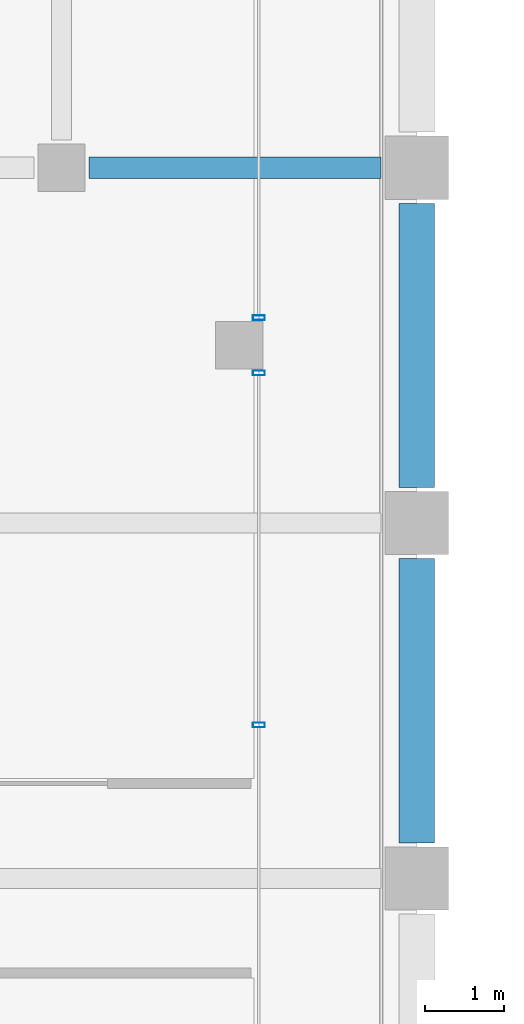
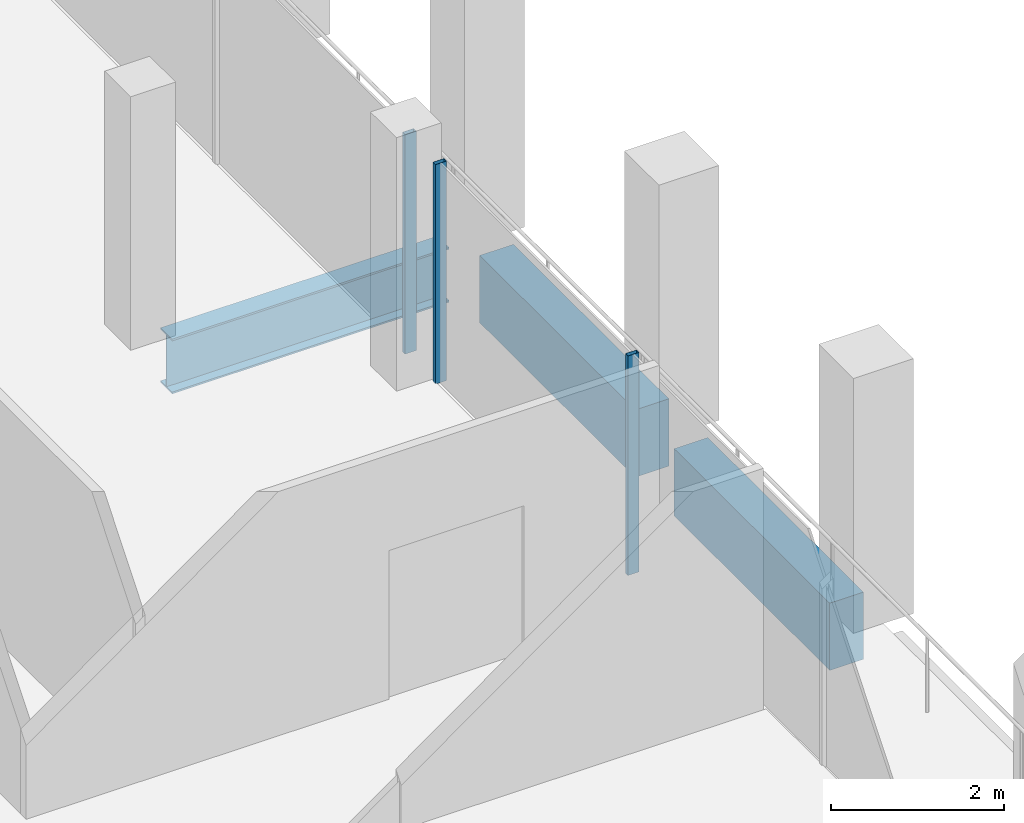
# One storey, part 19 of 40: 3 beams, 3 members, 2 elements without a shape of their own.
"""IFC4 building model written with IfcOpenShell, lengths in metres."""

import ifcopenshell
import ifcopenshell.guid

model = None  # the IFC model being written
_history = None  # IfcOwnerHistory: only IFC2X3 demands one
_inside = {}  # id of a spatial element -> (the spatial element, [elements in it])
_under = {}  # id of a project, library or spatial element -> (it, [spatial elements below it])
_declared = {}  # id of a project -> (the project, [libraries it declares])
_typed = {}  # id of a type object -> (the type object, [elements of that type])
_made_of = {}  # id of a material, layer set ... -> (it, [elements and type objects made of it])


def new_model(schema):
    """Start an empty IFC model of exactly this schema.

    Asked for "IFC4X3", IfcOpenShell would pick the latest addendum, in which some entities
    have other attributes; the version numbers below select the first issue.
    IFC2X3 requires an IfcOwnerHistory on every rooted entity: one is made here for all.
    """
    global model, _history
    if schema == "IFC4X3":
        model = ifcopenshell.file(schema_version=(4, 3, 0, 0))
    else:
        model = ifcopenshell.file(schema=schema)
    _inside.clear()
    _under.clear()
    _declared.clear()
    _typed.clear()
    _made_of.clear()
    _history = None
    if model.schema == "IFC2X3":
        org = make("IfcOrganization", Name="unknown")
        user = make(
            "IfcPersonAndOrganization",
            ThePerson=make("IfcPerson", FamilyName="unknown"),
            TheOrganization=org,
        )
        app = make(
            "IfcApplication",
            ApplicationDeveloper=org,
            Version="unknown",
            ApplicationFullName="unknown",
            ApplicationIdentifier="unknown",
        )
        _history = make(
            "IfcOwnerHistory",
            OwningUser=user,
            OwningApplication=app,
            ChangeAction="ADDED",
            CreationDate=0,
        )
    return model


def make(cls, **values):
    """One entity of the class cls with the attributes given. An attribute that is None is left unset."""
    return model.create_entity(
        cls, **{name: value for name, value in values.items() if value is not None}
    )


def rooted(cls, **values):
    """An entity with a GlobalId (a new one), such as an element, a storey or a relation."""
    return make(cls, GlobalId=ifcopenshell.guid.new(), OwnerHistory=_history, **values)


def si_unit(unit_type, name, prefix=None):
    """IfcSIUnit, for example si_unit("LENGTHUNIT", "METRE", prefix="MILLI")."""
    return make("IfcSIUnit", UnitType=unit_type, Prefix=prefix, Name=name)


def assignment(units):
    """IfcUnitAssignment: the units of a project."""
    return None if units is None else make("IfcUnitAssignment", Units=units)


def point(xyz):
    """IfcCartesianPoint."""
    return None if xyz is None else make("IfcCartesianPoint", Coordinates=xyz)


def direction(xyz):
    """IfcDirection."""
    return None if xyz is None else make("IfcDirection", DirectionRatios=xyz)


def frame(location, z_axis=None, x_axis=None):
    """IfcAxis2Placement3D, a coordinate frame: its origin and axes. An axis left out is left unset."""
    return make(
        "IfcAxis2Placement3D",
        Location=point(location),
        Axis=direction(z_axis),
        RefDirection=direction(x_axis),
    )


def frame_2d(location, x_axis=None):
    """IfcAxis2Placement2D, a coordinate frame in the plane: its origin and x axis."""
    return make(
        "IfcAxis2Placement2D", Location=point(location), RefDirection=direction(x_axis)
    )


def origin():
    """The frame at (0, 0, 0) with its axes left unset."""
    return frame((0.0, 0.0, 0.0))


def origin_2d():
    """The frame at (0, 0) in the plane with its x axis left unset."""
    return frame_2d((0.0, 0.0))


def place(relative_to, where):
    """IfcLocalPlacement: puts the frame where relative to a parent placement (None: the world)."""
    return make(
        "IfcLocalPlacement", PlacementRelTo=relative_to, RelativePlacement=where
    )


def context(
    kind, dimensions, precision=None, world=None, true_north=None, identifier=None
):
    """IfcGeometricRepresentationContext, for example the 3D "Model" context."""
    return make(
        "IfcGeometricRepresentationContext",
        ContextIdentifier=identifier,
        ContextType=kind,
        CoordinateSpaceDimension=dimensions,
        Precision=precision,
        WorldCoordinateSystem=world,
        TrueNorth=true_north,
    )


def subcontext(parent, identifier, kind, view, scale=None):
    """IfcGeometricRepresentationSubContext, for example "Body" below "Model"."""
    return make(
        "IfcGeometricRepresentationSubContext",
        ContextIdentifier=identifier,
        ContextType=kind,
        ParentContext=parent,
        TargetScale=scale,
        TargetView=view,
    )


def project(units=None, contexts=None):
    """IfcProject with its units and contexts."""
    return rooted(
        "IfcProject",
        Name="project",
        RepresentationContexts=contexts,
        UnitsInContext=assignment(units),
    )


def spatial(cls, under=None, at=None, **own):
    """A site, building, storey or space (cls), placed at a placement, below another one or the project."""
    s = rooted(cls, ObjectPlacement=at, **own)
    if under is not None:
        _under.setdefault(under.id(), (under, []))[1].append(s)
    return s


def profile(cls, at=None, kind="AREA", **sizes):
    """A parametric profile (cls). Its sizes go by their IFC names, for example OverallWidth=200.0."""
    return make(cls, ProfileType=kind, Position=at, **sizes)


def rectangle(**sizes):
    """IfcRectangleProfileDef."""
    return profile("IfcRectangleProfileDef", **sizes)


def hollow_rectangle(**sizes):
    """IfcRectangleHollowProfileDef."""
    return profile("IfcRectangleHollowProfileDef", **sizes)


def i_section(**sizes):
    """IfcIShapeProfileDef."""
    return profile("IfcIShapeProfileDef", **sizes)


def extrude(swept, where, along, depth):
    """IfcExtrudedAreaSolid: the profile swept, set in the frame where, extruded along a direction by depth."""
    return make(
        "IfcExtrudedAreaSolid",
        SweptArea=swept,
        Position=where,
        ExtrudedDirection=direction(along),
        Depth=depth,
    )


def shape(context_of_items, identifier, shape_type, items):
    """IfcShapeRepresentation: the items that make up one representation, for example the "Body"."""
    return make(
        "IfcShapeRepresentation",
        ContextOfItems=context_of_items,
        RepresentationIdentifier=identifier,
        RepresentationType=shape_type,
        Items=items,
    )


def material(Name=None, Category=None):
    """IfcMaterial."""
    return make("IfcMaterial", Name=Name, Category=Category)


def material_profile(
    of_material, cross_section, Name=None, Category=None, Priority=None
):
    """IfcMaterialProfile: a cross section and its material."""
    return make(
        "IfcMaterialProfile",
        Name=Name,
        Material=of_material,
        Profile=cross_section,
        Priority=Priority,
        Category=Category,
    )


def profile_set(profiles, Name=None, composite=None):
    """IfcMaterialProfileSet."""
    return make(
        "IfcMaterialProfileSet",
        Name=Name,
        MaterialProfiles=profiles,
        CompositeProfile=composite,
    )


def made_of(thing, what):
    """Note that an element or type object is made of a material, layer set ...; save() writes the relation."""
    if what is not None:
        _made_of.setdefault(what.id(), (what, []))[1].append(thing)
    return thing


def type_object(cls, material=None, **own):
    """A type object (cls), such as IfcWallType, which elements share."""
    return made_of(rooted(cls, **own), material)


def element(
    cls,
    number,
    at=None,
    inside=None,
    cuts=None,
    type_object=None,
    material=None,
    context=None,
    identifier="Body",
    shape_type=None,
    held_by="IfcProductDefinitionShape",
    body=None,
    shapes=None,
    **own,
):
    """One element of the class cls, such as IfcWall. Its Tag is "e" and its number.

    at: its placement. inside: the storey or other place that contains it. cuts: it is an
    opening in that element (IfcRelVoidsElement). A single representation is given by context,
    identifier, shape_type and body (its items); several are given by shapes. held_by: the class
    of the entity that holds the representations. save() writes the other relations.
    """
    e = rooted(cls, Tag="e%d" % number, ObjectPlacement=at, **own)
    if body is not None:
        shapes = [shape(context, identifier, shape_type, body)]
    if shapes is not None:
        e.Representation = make(held_by, Representations=shapes)
    if inside is not None:
        _inside.setdefault(inside.id(), (inside, []))[1].append(e)
    if cuts is not None:
        rooted(
            "IfcRelVoidsElement", RelatingBuildingElement=cuts, RelatedOpeningElement=e
        )
    if type_object is not None:
        _typed.setdefault(type_object.id(), (type_object, []))[1].append(e)
    return made_of(e, material)


def aggregate(whole, parts):
    """IfcRelAggregates: a whole, such as a stair, and the parts it consists of."""
    return rooted("IfcRelAggregates", RelatingObject=whole, RelatedObjects=parts)


def save(model, path):
    """Write the relations noted so far, then the file.

    IfcRelAggregates (storeys below a building ...), IfcRelContainedInSpatialStructure (elements
    in a storey), IfcRelDefinesByType, IfcRelAssociatesMaterial and IfcRelDeclares: one each for
    every whole, place, type object, material and project.
    """
    for whole, parts in _under.values():
        aggregate(whole, parts)
    for where, things in _inside.values():
        rooted(
            "IfcRelContainedInSpatialStructure",
            RelatedElements=things,
            RelatingStructure=where,
        )
    for kind, things in _typed.values():
        rooted("IfcRelDefinesByType", RelatedObjects=things, RelatingType=kind)
    for what, things in _made_of.values():
        rooted("IfcRelAssociatesMaterial", RelatedObjects=things, RelatingMaterial=what)
    for by, libraries in _declared.values():
        rooted("IfcRelDeclares", RelatingContext=by, RelatedDefinitions=libraries)
    model.write(path)


model = new_model("IFC4")

# Units and contexts
model_context = context("Model", 3, precision=1e-05, world=origin(), true_north=direction((0.0, 1.0)))
body_context = subcontext(model_context, "Body", "Model", "MODEL_VIEW")
ifc_project = project(units=[si_unit("LENGTHUNIT", "METRE"), si_unit("AREAUNIT", "SQUARE_METRE"), si_unit("VOLUMEUNIT", "CUBIC_METRE"), si_unit("PLANEANGLEUNIT", "RADIAN"), si_unit("MASSUNIT", "GRAM", prefix="KILO")], contexts=[model_context])

# Site, building, storey
site_placement = place(None, origin())
site = spatial("IfcSite", under=ifc_project, at=site_placement, CompositionType="ELEMENT")
building_placement = place(site_placement, origin())
building = spatial("IfcBuilding", under=site, at=building_placement, Name="Altepetl Exchange Towers", CompositionType="ELEMENT")
storey_placement = place(building_placement, frame((0.0, 0.0, 195.60009765625)))
storey = spatial("IfcBuildingStorey", under=building, at=storey_placement, Name="L49", CompositionType="ELEMENT", Elevation=195.60009765625)

# Beam
ifc_material_1 = material(Name="Steel S355", Category="steel")
ifc_material_profile_1 = material_profile(ifc_material_1, i_section(OverallWidth=0.26806640625, OverallDepth=0.77392578125, WebThickness=0.015380859375, FlangeThickness=0.025390625, at=origin_2d()), Name="W30X132")
ifc_profile_set_1 = profile_set([ifc_material_profile_1], Name="Steel S355")
beam_type_1 = type_object("IfcBeamType", Name="Girder W30X132", PredefinedType="BEAM", material=ifc_profile_set_1)
beam_placement = place(storey_placement, frame((67.85009765625, 58.5, -0.537109375), z_axis=(1.0, 0.0, 0.0), x_axis=(0.0, 1.0, 0.0)))
element("IfcBeam", 1, at=beam_placement, inside=storey, type_object=beam_type_1, Name="gd:A:L49:002", PredefinedType="BEAM", context=body_context, shape_type="SweptSolid", body=[
    extrude(i_section(OverallWidth=0.26806640625, OverallDepth=0.77392578125, WebThickness=0.015380859375, FlangeThickness=0.025390625, at=origin_2d()), origin(), (0.0, 0.0, 1.0), 3.699951171875),
])

# Curtain wall, members
ifc_material_2 = material(Name="Aluminium 6063-T6 glazing", Category="aluminium")
curtain_wall_type = type_object("IfcCurtainWallType", Name="Loggia glazing system", PredefinedType="NOTDEFINED", material=ifc_material_2)
curtain_wall_1_placement = place(storey_placement, origin())
curtain_wall_1 = element("IfcCurtainWall", 2, at=curtain_wall_1_placement, inside=storey, type_object=curtain_wall_type, Name="CW1 run", PredefinedType="NOTDEFINED")
ifc_material_3 = material(Name="Aluminium 6063-T6", Category="aluminium")
ifc_material_profile_2 = material_profile(ifc_material_3, hollow_rectangle(XDim=0.06005859375, YDim=0.14990234375, WallThickness=0.0029296875, at=origin_2d()), Name="Mullion 60x150 aluminium")
ifc_profile_set_2 = profile_set([ifc_material_profile_2], Name="Aluminium 6063-T6")
member_type = type_object("IfcMemberType", Name="Mullion 60x150 aluminium", PredefinedType="MULLION", material=ifc_profile_set_2)
member_1_placement = place(storey_placement, frame((70.0, 51.444091796875, 0.0), z_axis=(0.0, 0.0, 1.0), x_axis=(0.0, 1.0, 0.0)))
member_1 = element("IfcMember", 3, at=member_1_placement, type_object=member_type, Name="MU1 mullion", PredefinedType="MULLION", context=body_context, shape_type="SweptSolid", body=[
    extrude(hollow_rectangle(XDim=0.06005859375, YDim=0.14990234375, WallThickness=0.0029296875, at=origin_2d()), origin(), (0.0, 0.0, 1.0), 3.099853515625),
])
member_2_placement = place(storey_placement, frame((70.0, 55.89990234375, 0.0), z_axis=(0.0, 0.0, 1.0), x_axis=(0.0, 1.0, 0.0)))
member_2 = element("IfcMember", 4, at=member_2_placement, type_object=member_type, Name="MU1 mullion", PredefinedType="MULLION", context=body_context, shape_type="SweptSolid", body=[
    extrude(hollow_rectangle(XDim=0.06005859375, YDim=0.14990234375, WallThickness=0.0029296875, at=origin_2d()), origin(), (0.0, 0.0, 1.0), 3.099853515625),
])
aggregate(curtain_wall_1, [member_1, member_2])

# Curtain wall, member
curtain_wall_2_placement = place(storey_placement, origin())
curtain_wall_2 = element("IfcCurtainWall", 5, at=curtain_wall_2_placement, inside=storey, type_object=curtain_wall_type, Name="CW1 run", PredefinedType="NOTDEFINED")
member_3_placement = place(storey_placement, frame((70.0, 56.60009765625, 0.0), z_axis=(0.0, 0.0, 1.0), x_axis=(0.0, 1.0, 0.0)))
member_3 = element("IfcMember", 6, at=member_3_placement, type_object=member_type, Name="MU1 mullion", PredefinedType="MULLION", context=body_context, shape_type="SweptSolid", body=[
    extrude(hollow_rectangle(XDim=0.06005859375, YDim=0.14990234375, WallThickness=0.0029296875, at=origin_2d()), origin(), (0.0, 0.0, 1.0), 3.099853515625),
])
aggregate(curtain_wall_2, [member_3])

# Beams
ifc_material_4 = material(Name="Concrete C50/60 precast with cantera amarilla facing", Category="concrete")
ifc_material_profile_3 = material_profile(ifc_material_4, rectangle(XDim=0.449951171875, YDim=0.949951171875, at=origin_2d()), Name="450 x 950")
ifc_profile_set_3 = profile_set([ifc_material_profile_3], Name="Concrete C50/60 precast with cantera amarilla facing")
beam_type_2 = type_object("IfcBeamType", Name="Spandrel beam 450x950 cantera amarilla", PredefinedType="SPANDREL", material=ifc_profile_set_3)
for number, where, z_axis, x_axis, name in (
    (7, (72.0, 49.949951171875, -0.625), (0.0, 1.0, 0.0), (-1.0, 0.0, 0.0), "sp:A:L49:016"),
    (8, (72.0, 54.449951171875, -0.625), (0.0, 1.0, 0.0), (-1.0, 0.0, 0.0), "sp:A:L49:017"),
):
    element("IfcBeam", number, at=place(storey_placement, frame(where, z_axis=z_axis, x_axis=x_axis)), inside=storey, type_object=beam_type_2, Name=name, PredefinedType="SPANDREL", context=body_context, shape_type="SweptSolid", body=[
        extrude(rectangle(XDim=0.449951171875, YDim=0.949951171875, at=origin_2d()), origin(), (0.0, 0.0, 1.0), 3.60009765625),
    ])

save(model, "model.ifc")
